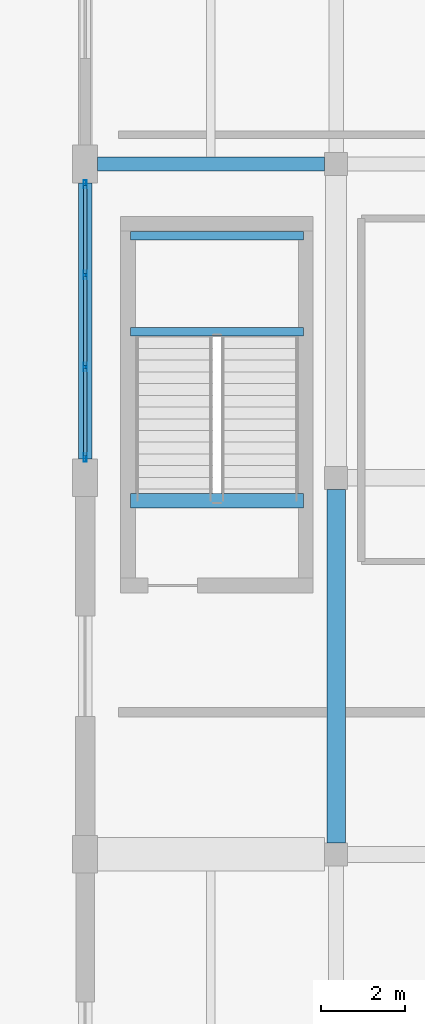
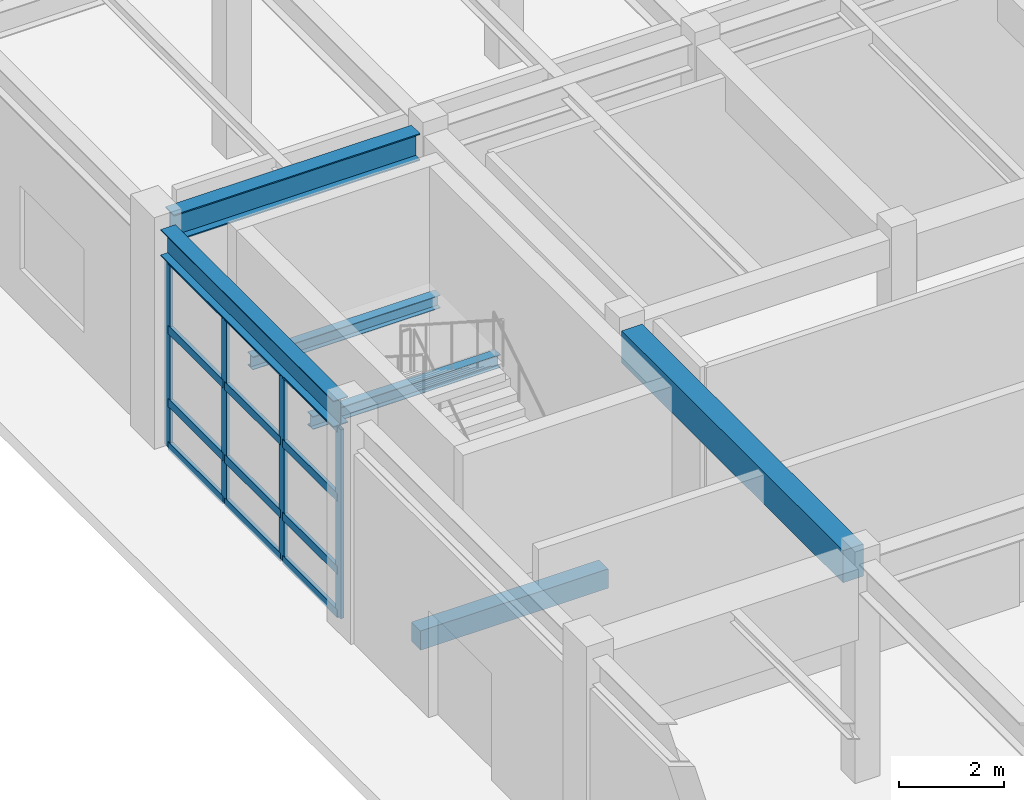
# One storey, part 30 of 91: 16 members, 6 beams, 1 element without a shape of its own.
"""IFC4 building model written with IfcOpenShell, lengths in metres."""

from ifc_helpers import new_model, si_unit, direction, frame, origin, origin_2d, place, context, subcontext, project, spatial, rectangle, hollow_rectangle, i_section, extrude, material, layer, layer_set, material_profile, profile_set, type_object, element, aggregate, save


model = new_model("IFC4")

# Units and contexts
model_context = context("Model", 3, precision=1e-05, world=origin(), true_north=direction((0.0, 1.0)))
body_context = subcontext(model_context, "Body", "Model", "MODEL_VIEW")
ifc_project = project(units=[si_unit("LENGTHUNIT", "METRE"), si_unit("AREAUNIT", "SQUARE_METRE"), si_unit("VOLUMEUNIT", "CUBIC_METRE"), si_unit("PLANEANGLEUNIT", "RADIAN"), si_unit("MASSUNIT", "GRAM", prefix="KILO")], contexts=[model_context])

# Site, building, storey
site_placement = place(None, origin())
site = spatial("IfcSite", under=ifc_project, at=site_placement, CompositionType="ELEMENT")
building_placement = place(site_placement, origin())
building = spatial("IfcBuilding", under=site, at=building_placement, Name="Vaelkrest Opera House", CompositionType="ELEMENT")
storey_placement = place(building_placement, origin())
storey = spatial("IfcBuildingStorey", under=building, at=storey_placement, Name="L00", CompositionType="ELEMENT", Elevation=0.0)

# Beams
ifc_material_1 = material(Name="Concrete C50/60", Category="concrete")
ifc_material_profile_1 = material_profile(ifc_material_1, rectangle(XDim=0.449951171875, YDim=0.75, at=origin_2d()), Name="RCB450X750")
ifc_profile_set_1 = profile_set([ifc_material_profile_1], Name="Concrete C50/60")
beam_type_1 = type_object("IfcBeamType", Name="B02", PredefinedType="BEAM", material=ifc_profile_set_1)
beam_1_placement = place(storey_placement, frame((-69.60009765625, 1.47509765625, 4.705078125), z_axis=(0.0, 1.0, 0.0), x_axis=(-1.0, 0.0, 0.0)))
element("IfcBeam", 1, at=beam_1_placement, inside=storey, type_object=beam_type_1, Name="Beam BM-V3-L00-1439", PredefinedType="BEAM", context=body_context, shape_type="SweptSolid", body=[
    extrude(rectangle(XDim=0.449951171875, YDim=0.75, at=origin_2d()), origin(), (0.0, 0.0, 1.0), 8.449951171875),
])
ifc_material_2 = material(Name="Steel A992 Gr50", Category="steel")
ifc_material_profile_2 = material_profile(ifc_material_2, i_section(OverallWidth=0.327880859375, OverallDepth=0.6279296875, WebThickness=0.0166015625, FlangeThickness=0.027587890625, at=origin_2d()), Name="W24X146")
ifc_profile_set_2 = profile_set([ifc_material_profile_2], Name="Steel A992 Gr50")
beam_type_2 = type_object("IfcBeamType", Name="B09", PredefinedType="BEAM", material=ifc_profile_set_2)
beam_2_placement = place(storey_placement, frame((-75.300048828125, 17.699951171875, 4.76611328125), z_axis=(1.0, 0.0, 0.0), x_axis=(0.0, 1.0, 0.0)))
element("IfcBeam", 2, at=beam_2_placement, inside=storey, type_object=beam_type_2, Name="Beam BM-V3-L00-1402", PredefinedType="BEAM", context=body_context, shape_type="SweptSolid", body=[
    extrude(i_section(OverallWidth=0.327880859375, OverallDepth=0.6279296875, WebThickness=0.0166015625, FlangeThickness=0.027587890625, at=origin_2d()), origin(), (0.0, 0.0, 1.0), 5.425048828125),
])

# Curtain wall, members
ifc_material_3 = material(Name="Dark bronze anodized aluminium", Category="aluminium")
ifc_layer = layer(ifc_material_3, 0.22998046875)
ifc_layer_set = layer_set([ifc_layer], Name="Dark bronze anodized aluminium")
curtain_wall_type = type_object("IfcCurtainWallType", Name="CW06", PredefinedType="NOTDEFINED", material=ifc_layer_set)
curtain_wall_placement = place(storey_placement, origin())
curtain_wall = element("IfcCurtainWall", 3, at=curtain_wall_placement, inside=storey, type_object=curtain_wall_type, Name="Curtain wall CW-L00-090", PredefinedType="NOTDEFINED")
ifc_material_profile_3 = material_profile(ifc_material_3, hollow_rectangle(XDim=0.070068359375, YDim=0.199951171875, WallThickness=0.004150390625, at=origin_2d()), Name="CWM70X200")
ifc_profile_set_3 = profile_set([ifc_material_profile_3], Name="Dark bronze anodized aluminium")
member_type_1 = type_object("IfcMemberType", Name="CWM02", PredefinedType="MULLION", material=ifc_profile_set_3)
member_1_placement = place(storey_placement, frame((-75.60009765625, 10.68310546875, 0.0), z_axis=(0.0, 0.0, 1.0), x_axis=(-1.0, 0.0, 0.0)))
member_1 = element("IfcMember", 4, at=member_1_placement, type_object=member_type_1, Name="CW06 mullion 1", PredefinedType="MULLION", context=body_context, shape_type="SweptSolid", body=[
    extrude(hollow_rectangle(XDim=0.070068359375, YDim=0.199951171875, WallThickness=0.004150390625, at=origin_2d()), origin(), (0.0, 0.0, 1.0), 4.404052734375),
])
member_2_placement = place(storey_placement, frame((-75.60009765625, 12.849365234375, 0.0), z_axis=(0.0, 0.0, 1.0), x_axis=(-1.0, 0.0, 0.0)))
member_2 = element("IfcMember", 5, at=member_2_placement, type_object=member_type_1, Name="CW06 mullion 2", PredefinedType="MULLION", context=body_context, shape_type="SweptSolid", body=[
    extrude(hollow_rectangle(XDim=0.070068359375, YDim=0.199951171875, WallThickness=0.004150390625, at=origin_2d()), origin(), (0.0, 0.0, 1.0), 4.404052734375),
])
member_3_placement = place(storey_placement, frame((-75.60009765625, 15.05078125, 0.0), z_axis=(0.0, 0.0, 1.0), x_axis=(-1.0, 0.0, 0.0)))
member_3 = element("IfcMember", 6, at=member_3_placement, type_object=member_type_1, Name="CW06 mullion 3", PredefinedType="MULLION", context=body_context, shape_type="SweptSolid", body=[
    extrude(hollow_rectangle(XDim=0.070068359375, YDim=0.199951171875, WallThickness=0.004150390625, at=origin_2d()), origin(), (0.0, 0.0, 1.0), 4.404052734375),
])
member_4_placement = place(storey_placement, frame((-75.60009765625, 17.217041015625, 0.0), z_axis=(0.0, 0.0, 1.0), x_axis=(-1.0, 0.0, 0.0)))
member_4 = element("IfcMember", 7, at=member_4_placement, type_object=member_type_1, Name="CW06 mullion 4", PredefinedType="MULLION", context=body_context, shape_type="SweptSolid", body=[
    extrude(hollow_rectangle(XDim=0.070068359375, YDim=0.199951171875, WallThickness=0.004150390625, at=origin_2d()), origin(), (0.0, 0.0, 1.0), 4.404052734375),
])
ifc_material_profile_4 = material_profile(ifc_material_3, hollow_rectangle(XDim=0.080078125, YDim=0.18994140625, WallThickness=0.0048828125, at=origin_2d()), Name="CWT80X190")
ifc_profile_set_4 = profile_set([ifc_material_profile_4], Name="Dark bronze anodized aluminium")
member_type_2 = type_object("IfcMemberType", Name="CWT04", PredefinedType="USERDEFINED", material=ifc_profile_set_4)
member_5_placement = place(storey_placement, frame((-75.60009765625, 10.718017578125, 0.0400390625), z_axis=(0.0, 1.0, 0.0), x_axis=(-1.0, 0.0, 0.0)))
member_5 = element("IfcMember", 8, at=member_5_placement, type_object=member_type_2, Name="CW06 transom 1.1", ObjectType="TRANSOM", PredefinedType="USERDEFINED", context=body_context, shape_type="SweptSolid", body=[
    extrude(hollow_rectangle(XDim=0.080078125, YDim=0.18994140625, WallThickness=0.0048828125, at=origin_2d()), origin(), (0.0, 0.0, 1.0), 2.096435546875),
])
member_6_placement = place(storey_placement, frame((-75.60009765625, 10.718017578125, 1.050048828125), z_axis=(0.0, 1.0, 0.0), x_axis=(-1.0, 0.0, 0.0)))
member_6 = element("IfcMember", 9, at=member_6_placement, type_object=member_type_2, Name="CW06 transom 1.2", ObjectType="TRANSOM", PredefinedType="USERDEFINED", context=body_context, shape_type="SweptSolid", body=[
    extrude(hollow_rectangle(XDim=0.080078125, YDim=0.18994140625, WallThickness=0.0048828125, at=origin_2d()), origin(), (0.0, 0.0, 1.0), 2.096435546875),
])
member_7_placement = place(storey_placement, frame((-75.60009765625, 10.718017578125, 2.75), z_axis=(0.0, 1.0, 0.0), x_axis=(-1.0, 0.0, 0.0)))
member_7 = element("IfcMember", 10, at=member_7_placement, type_object=member_type_2, Name="CW06 transom 1.3", ObjectType="TRANSOM", PredefinedType="USERDEFINED", context=body_context, shape_type="SweptSolid", body=[
    extrude(hollow_rectangle(XDim=0.080078125, YDim=0.18994140625, WallThickness=0.0048828125, at=origin_2d()), origin(), (0.0, 0.0, 1.0), 2.096435546875),
])
member_8_placement = place(storey_placement, frame((-75.60009765625, 10.718017578125, 4.364013671875), z_axis=(0.0, 1.0, 0.0), x_axis=(-1.0, 0.0, 0.0)))
member_8 = element("IfcMember", 11, at=member_8_placement, type_object=member_type_2, Name="CW06 transom 1.4", ObjectType="TRANSOM", PredefinedType="USERDEFINED", context=body_context, shape_type="SweptSolid", body=[
    extrude(hollow_rectangle(XDim=0.080078125, YDim=0.18994140625, WallThickness=0.0048828125, at=origin_2d()), origin(), (0.0, 0.0, 1.0), 2.096435546875),
])
member_9_placement = place(storey_placement, frame((-75.60009765625, 12.88427734375, 0.0400390625), z_axis=(0.0, 1.0, 0.0), x_axis=(-1.0, 0.0, 0.0)))
member_9 = element("IfcMember", 12, at=member_9_placement, type_object=member_type_2, Name="CW06 transom 2.1", ObjectType="TRANSOM", PredefinedType="USERDEFINED", context=body_context, shape_type="SweptSolid", body=[
    extrude(hollow_rectangle(XDim=0.080078125, YDim=0.18994140625, WallThickness=0.0048828125, at=origin_2d()), origin(), (0.0, 0.0, 1.0), 2.13134765625),
])
member_10_placement = place(storey_placement, frame((-75.60009765625, 12.88427734375, 1.050048828125), z_axis=(0.0, 1.0, 0.0), x_axis=(-1.0, 0.0, 0.0)))
member_10 = element("IfcMember", 13, at=member_10_placement, type_object=member_type_2, Name="CW06 transom 2.2", ObjectType="TRANSOM", PredefinedType="USERDEFINED", context=body_context, shape_type="SweptSolid", body=[
    extrude(hollow_rectangle(XDim=0.080078125, YDim=0.18994140625, WallThickness=0.0048828125, at=origin_2d()), origin(), (0.0, 0.0, 1.0), 2.13134765625),
])
member_11_placement = place(storey_placement, frame((-75.60009765625, 12.88427734375, 2.75), z_axis=(0.0, 1.0, 0.0), x_axis=(-1.0, 0.0, 0.0)))
member_11 = element("IfcMember", 14, at=member_11_placement, type_object=member_type_2, Name="CW06 transom 2.3", ObjectType="TRANSOM", PredefinedType="USERDEFINED", context=body_context, shape_type="SweptSolid", body=[
    extrude(hollow_rectangle(XDim=0.080078125, YDim=0.18994140625, WallThickness=0.0048828125, at=origin_2d()), origin(), (0.0, 0.0, 1.0), 2.13134765625),
])
member_12_placement = place(storey_placement, frame((-75.60009765625, 12.88427734375, 4.364013671875), z_axis=(0.0, 1.0, 0.0), x_axis=(-1.0, 0.0, 0.0)))
member_12 = element("IfcMember", 15, at=member_12_placement, type_object=member_type_2, Name="CW06 transom 2.4", ObjectType="TRANSOM", PredefinedType="USERDEFINED", context=body_context, shape_type="SweptSolid", body=[
    extrude(hollow_rectangle(XDim=0.080078125, YDim=0.18994140625, WallThickness=0.0048828125, at=origin_2d()), origin(), (0.0, 0.0, 1.0), 2.13134765625),
])
member_13_placement = place(storey_placement, frame((-75.60009765625, 15.085693359375, 0.0400390625), z_axis=(0.0, 1.0, 0.0), x_axis=(-1.0, 0.0, 0.0)))
member_13 = element("IfcMember", 16, at=member_13_placement, type_object=member_type_2, Name="CW06 transom 3.1", ObjectType="TRANSOM", PredefinedType="USERDEFINED", context=body_context, shape_type="SweptSolid", body=[
    extrude(hollow_rectangle(XDim=0.080078125, YDim=0.18994140625, WallThickness=0.0048828125, at=origin_2d()), origin(), (0.0, 0.0, 1.0), 2.09619140625),
])
member_14_placement = place(storey_placement, frame((-75.60009765625, 15.085693359375, 1.050048828125), z_axis=(0.0, 1.0, 0.0), x_axis=(-1.0, 0.0, 0.0)))
member_14 = element("IfcMember", 17, at=member_14_placement, type_object=member_type_2, Name="CW06 transom 3.2", ObjectType="TRANSOM", PredefinedType="USERDEFINED", context=body_context, shape_type="SweptSolid", body=[
    extrude(hollow_rectangle(XDim=0.080078125, YDim=0.18994140625, WallThickness=0.0048828125, at=origin_2d()), origin(), (0.0, 0.0, 1.0), 2.09619140625),
])
member_15_placement = place(storey_placement, frame((-75.60009765625, 15.085693359375, 2.75), z_axis=(0.0, 1.0, 0.0), x_axis=(-1.0, 0.0, 0.0)))
member_15 = element("IfcMember", 18, at=member_15_placement, type_object=member_type_2, Name="CW06 transom 3.3", ObjectType="TRANSOM", PredefinedType="USERDEFINED", context=body_context, shape_type="SweptSolid", body=[
    extrude(hollow_rectangle(XDim=0.080078125, YDim=0.18994140625, WallThickness=0.0048828125, at=origin_2d()), origin(), (0.0, 0.0, 1.0), 2.09619140625),
])
member_16_placement = place(storey_placement, frame((-75.60009765625, 15.085693359375, 4.364013671875), z_axis=(0.0, 1.0, 0.0), x_axis=(-1.0, 0.0, 0.0)))
member_16 = element("IfcMember", 19, at=member_16_placement, type_object=member_type_2, Name="CW06 transom 3.4", ObjectType="TRANSOM", PredefinedType="USERDEFINED", context=body_context, shape_type="SweptSolid", body=[
    extrude(hollow_rectangle(XDim=0.080078125, YDim=0.18994140625, WallThickness=0.0048828125, at=origin_2d()), origin(), (0.0, 0.0, 1.0), 2.09619140625),
])
aggregate(curtain_wall, [member_1, member_2, member_3, member_4, member_5, member_6, member_7, member_8, member_9, member_10, member_11, member_12, member_13, member_14, member_15, member_16])

# Beams
ifc_material_profile_5 = material_profile(ifc_material_2, i_section(OverallWidth=0.202880859375, OverallDepth=0.302978515625, WebThickness=0.007568359375, FlangeThickness=0.01318359375, at=origin_2d()), Name="W12X40")
ifc_profile_set_5 = profile_set([ifc_material_profile_5], Name="Steel A992 Gr50")
beam_type_3 = type_object("IfcBeamType", Name="J02", PredefinedType="JOIST", material=ifc_profile_set_5)
for number, where, z_axis, x_axis, name in (
    (20, (-74.52001953125, 13.68994140625, 2.348388671875), (1.0, 0.0, 0.0), (0.0, 1.0, 0.0), "Stair landing bearer beam ST07 L00-1N"),
    (21, (-74.52001953125, 15.97998046875, 2.348388671875), (1.0, 0.0, 0.0), (0.0, 1.0, 0.0), "Stair landing bearer beam ST07 L00-1F"),
):
    element("IfcBeam", number, at=place(storey_placement, frame(where, z_axis=z_axis, x_axis=x_axis)), inside=storey, type_object=beam_type_3, Name=name, PredefinedType="JOIST", context=body_context, shape_type="SweptSolid", body=[
        extrude(i_section(OverallWidth=0.202880859375, OverallDepth=0.302978515625, WebThickness=0.007568359375, FlangeThickness=0.01318359375, at=origin_2d()), origin(), (0.0, 0.0, 1.0), 4.14013671875),
    ])
ifc_material_profile_6 = material_profile(ifc_material_1, rectangle(XDim=0.35009765625, YDim=0.449951171875, at=origin_2d()), Name="RCB350X450")
ifc_profile_set_6 = profile_set([ifc_material_profile_6], Name="Concrete C50/60")
beam_type_4 = type_object("IfcBeamType", Name="LN01", PredefinedType="LINTEL", material=ifc_profile_set_6)
beam_3_placement = place(storey_placement, frame((-74.52001953125, 9.64990234375, -0.22509765625), z_axis=(1.0, 0.0, 0.0), x_axis=(0.0, 1.0, 0.0)))
element("IfcBeam", 22, at=beam_3_placement, inside=storey, type_object=beam_type_4, Name="Stairwell trimmer beam ST07 L00", PredefinedType="LINTEL", context=body_context, shape_type="SweptSolid", body=[
    extrude(rectangle(XDim=0.35009765625, YDim=0.449951171875, at=origin_2d()), origin(), (0.0, 0.0, 1.0), 4.14013671875),
])
ifc_material_profile_7 = material_profile(ifc_material_2, i_section(OverallWidth=0.323974609375, OverallDepth=0.611083984375, WebThickness=0.0126953125, FlangeThickness=0.01904296875, at=origin_2d()), Name="W24X104")
ifc_profile_set_7 = profile_set([ifc_material_profile_7], Name="Steel A992 Gr50")
beam_type_5 = type_object("IfcBeamType", Name="SP01", PredefinedType="SPANDREL", material=ifc_profile_set_7)
beam_4_placement = place(storey_placement, frame((-75.60009765625, 10.64990234375, 4.7744140625), z_axis=(0.0, 1.0, 0.0), x_axis=(-1.0, 0.0, 0.0)))
element("IfcBeam", 23, at=beam_4_placement, inside=storey, type_object=beam_type_5, Name="Beam BM-V3-L00-1433", PredefinedType="SPANDREL", context=body_context, shape_type="SweptSolid", body=[
    extrude(i_section(OverallWidth=0.323974609375, OverallDepth=0.611083984375, WebThickness=0.0126953125, FlangeThickness=0.01904296875, at=origin_2d()), origin(), (0.0, 0.0, 1.0), 6.60009765625),
])

save(model, "model.ifc")
